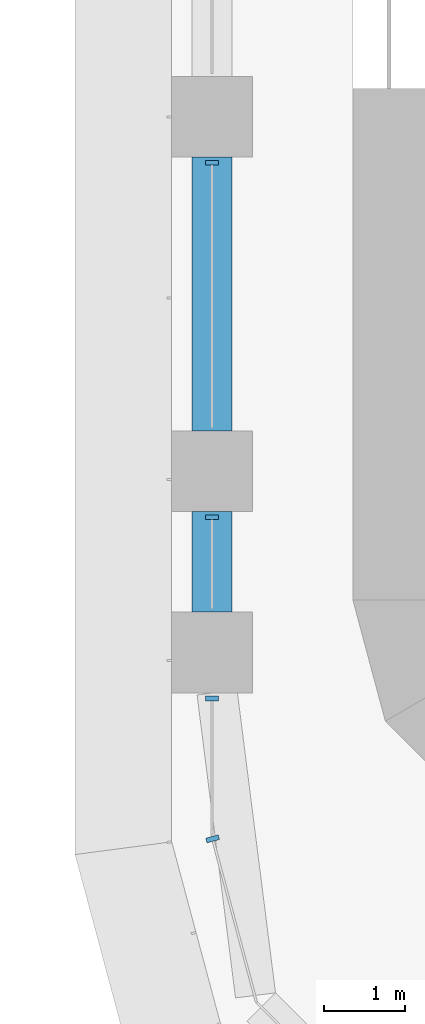
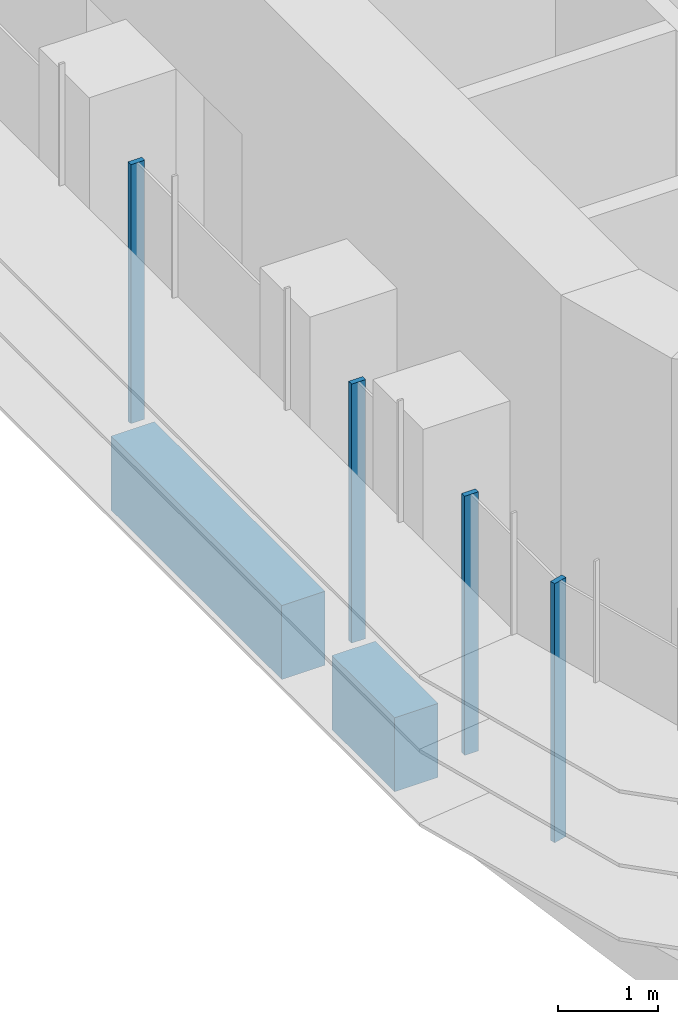
# One storey, part 2 of 23: 4 members, 2 beams, 2 elements without a shape of their own.
"""IFC4 building model written with IfcOpenShell, lengths in metres."""

from ifc_helpers import new_model, si_unit, direction, frame, origin, origin_2d, place, context, subcontext, project, spatial, polyline, rectangle, outline, extrude, source, transform, mapped, material, material_profile, profile_set, type_object, element, aggregate, save


model = new_model("IFC4")

# Units and contexts
model_context = context("Model", 3, precision=1e-05, world=origin(), true_north=direction((0.0, 1.0)))
body_context = subcontext(model_context, "Body", "Model", "MODEL_VIEW")
ifc_project = project(units=[si_unit("LENGTHUNIT", "METRE"), si_unit("AREAUNIT", "SQUARE_METRE"), si_unit("VOLUMEUNIT", "CUBIC_METRE"), si_unit("PLANEANGLEUNIT", "RADIAN"), si_unit("MASSUNIT", "GRAM", prefix="KILO")], contexts=[model_context])

# Site, building, storey
site_placement = place(None, origin())
site = spatial("IfcSite", under=ifc_project, at=site_placement, CompositionType="ELEMENT")
building_placement = place(site_placement, origin())
building = spatial("IfcBuilding", under=site, at=building_placement, Name="Zarbagh Exchange Tower", CompositionType="ELEMENT")
storey_placement = place(building_placement, frame((0.0, 0.0, 31.199951171875)))
storey = spatial("IfcBuildingStorey", under=building, at=storey_placement, Name="L06", CompositionType="ELEMENT", Elevation=31.199951171875)

# Beams
ifc_material_1 = material(Name="Concrete C60/75", Category="concrete")
ifc_material_profile = material_profile(ifc_material_1, rectangle(XDim=0.5, YDim=0.89990234375, at=origin_2d()), Name="RC spandrel beam 500 x 900 C60/75")
ifc_profile_set = profile_set([ifc_material_profile], Name="Concrete C60/75")
beam_type = type_object("IfcBeamType", Name="RC spandrel beam 500 x 900 C60/75", PredefinedType="SPANDREL", material=ifc_profile_set)
beam_1_placement = place(storey_placement, frame((-6.25, -26.39990234375, -0.599853515625), z_axis=(0.0, 1.0, 0.0), x_axis=(-1.0, 0.0, 0.0)))
element("IfcBeam", 1, at=beam_1_placement, inside=storey, type_object=beam_type, Name="RC spandrel beam", PredefinedType="SPANDREL", context=body_context, shape_type="SweptSolid", body=[
    extrude(rectangle(XDim=0.5, YDim=0.89990234375, at=origin_2d()), origin(), (0.0, 0.0, 1.0), 1.25),
])
beam_2_placement = place(storey_placement, frame((-6.25, -24.14990234375, -0.599853515625), z_axis=(0.0, 1.0, 0.0), x_axis=(-1.0, 0.0, 0.0)))
element("IfcBeam", 2, at=beam_2_placement, inside=storey, type_object=beam_type, Name="RC spandrel beam", PredefinedType="SPANDREL", context=body_context, shape_type="SweptSolid", body=[
    extrude(rectangle(XDim=0.5, YDim=0.89990234375, at=origin_2d()), origin(), (0.0, 0.0, 1.0), 3.39990234375),
])

# Curtain wall, members
ifc_material_2 = material(Name="Anodised aluminium frame and glazing", Category="aluminium")
curtain_wall_type = type_object("IfcCurtainWallType", Name="CWA Ribbon glazing, lower zones", PredefinedType="NOTDEFINED", material=ifc_material_2)
curtain_wall_1_placement = place(storey_placement, origin())
curtain_wall_1 = element("IfcCurtainWall", 3, at=curtain_wall_1_placement, inside=storey, type_object=curtain_wall_type, Name="CWA44 curtain wall", PredefinedType="NOTDEFINED")
ifc_material_3 = material(Name="Anodised aluminium frame", Category="aluminium")
member_type = type_object("IfcMemberType", Name="MUA Mullion, anodised aluminium frame", PredefinedType="MULLION", material=ifc_material_3)
shared_shape = source(origin(), body_context, "Body", "SweptSolid", [
    extrude(outline(polyline([(0.0, -0.080078125), (0.06005859375, -0.080078125), (0.06005859375, 0.080078125), (0.0, 0.080078125), (0.0, -0.080078125)])), origin(), (0.0, 0.0, 1.0), 3.14990234375),
])
placement = place(storey_placement, origin())
member_1 = element("IfcMember", 4, at=placement, type_object=member_type, Name="CWA44 mullion 3.1", PredefinedType="MULLION", context=body_context, shape_type="MappedRepresentation", body=[
    mapped(shared_shape, transform((-6.25, -20.7900390625, 0.0), x_axis=(0.0, -1.0, 0.0), y_axis=(1.0, 0.0, 0.0), z_axis=(0.0, 0.0, 1.0))),
])
member_2 = element("IfcMember", 5, at=placement, type_object=member_type, Name="CWA44 mullion 4.1", PredefinedType="MULLION", context=body_context, shape_type="MappedRepresentation", body=[
    mapped(shared_shape, transform((-6.25, -25.18994140625, 0.0), x_axis=(0.0, -1.0, 0.0), y_axis=(1.0, 0.0, 0.0), z_axis=(0.0, 0.0, 1.0))),
])
member_3 = element("IfcMember", 6, at=placement, type_object=member_type, Name="CWA44 mullion 5.1", PredefinedType="MULLION", context=body_context, shape_type="MappedRepresentation", body=[
    mapped(shared_shape, transform((-6.25, -27.43994140625, 0.0), x_axis=(0.0, -1.0, 0.0), y_axis=(1.0, 0.0, 0.0), z_axis=(0.0, 0.0, 1.0))),
])
aggregate(curtain_wall_1, [member_1, member_2, member_3])

# Curtain wall, member
curtain_wall_2_placement = place(storey_placement, origin())
curtain_wall_2 = element("IfcCurtainWall", 7, at=curtain_wall_2_placement, inside=storey, type_object=curtain_wall_type, Name="CWA45 curtain wall", PredefinedType="NOTDEFINED")
member_4 = element("IfcMember", 8, at=placement, type_object=member_type, Name="CWA45 mullion 1.1", PredefinedType="MULLION", context=body_context, shape_type="MappedRepresentation", body=[
    mapped(shared_shape, transform((-6.25, -29.18408203125, 0.0), x_axis=(0.258824779902, -0.965924289636, 0.0), y_axis=(0.965924289636, 0.258824779902, 0.0), z_axis=(0.0, 0.0, 1.0))),
])
aggregate(curtain_wall_2, [member_4])

save(model, "model.ifc")
